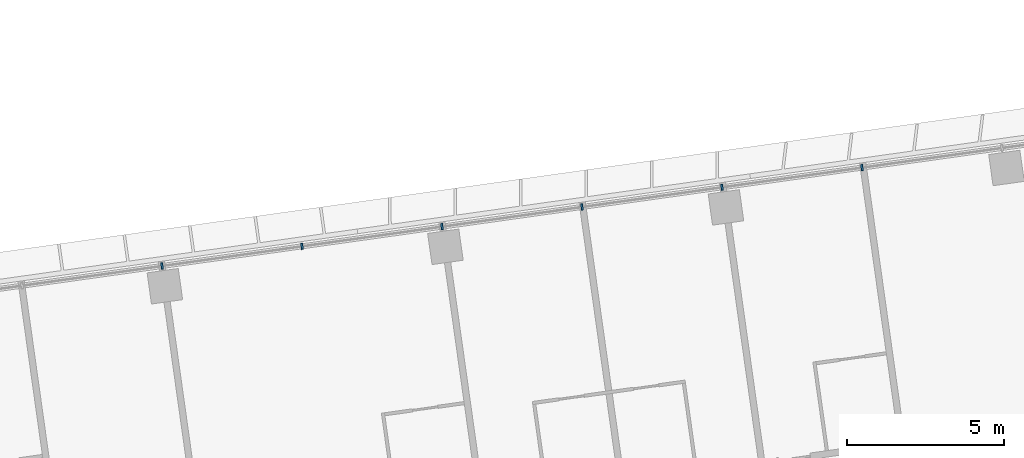
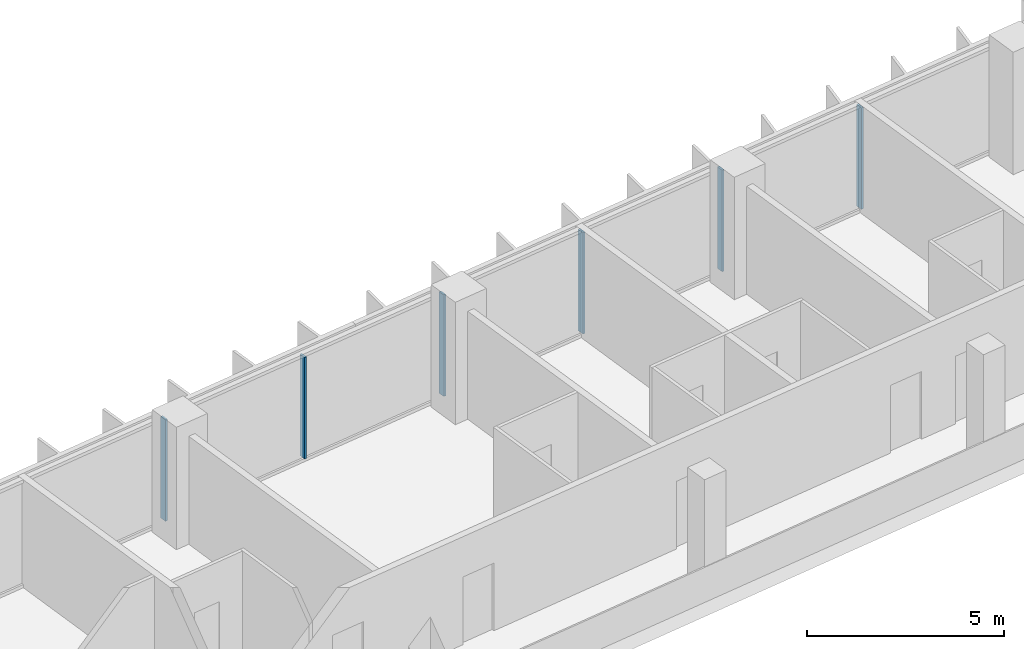
# One storey, part 10 of 24: 6 members, 1 element without a shape of its own.
"""IFC4 building model written with IfcOpenShell, lengths in metres."""

from ifc_helpers import new_model, si_unit, direction, frame, origin, origin_2d, place, context, subcontext, project, spatial, rectangle, extrude, material, material_profile, profile_set, type_object, element, aggregate, save


model = new_model("IFC4")

# Units and contexts
model_context = context("Model", 3, precision=1e-05, world=origin(), true_north=direction((0.0, 1.0)))
body_context = subcontext(model_context, "Body", "Model", "MODEL_VIEW")
ifc_project = project(units=[si_unit("LENGTHUNIT", "METRE"), si_unit("AREAUNIT", "SQUARE_METRE"), si_unit("VOLUMEUNIT", "CUBIC_METRE"), si_unit("PLANEANGLEUNIT", "RADIAN"), si_unit("MASSUNIT", "GRAM", prefix="KILO")], contexts=[model_context])

# Site, building, storey
site_placement = place(None, origin())
site = spatial("IfcSite", under=ifc_project, at=site_placement, CompositionType="ELEMENT")
building_placement = place(site_placement, origin())
building = spatial("IfcBuilding", under=site, at=building_placement, Name="Mirante Cascada Hotel Towers", CompositionType="ELEMENT")
storey_placement = place(building_placement, frame((0.0, 0.0, 43.3)))
storey = spatial("IfcBuildingStorey", under=building, at=storey_placement, Name="L07", CompositionType="ELEMENT", Elevation=43.3)

# Curtain wall, members
ifc_material_1 = material(Name="Aluminium mullion and transom frame with clear laminated glass", Category="aluminium")
curtain_wall_type = type_object("IfcCurtainWallType", Name="Ribbon curtain wall ECW1", PredefinedType="NOTDEFINED", material=ifc_material_1)
curtain_wall_placement = place(storey_placement, origin())
curtain_wall = element("IfcCurtainWall", 1, at=curtain_wall_placement, inside=storey, type_object=curtain_wall_type, Name="Front ribbon wall T2 L07", PredefinedType="NOTDEFINED")
ifc_material_2 = material(Name="Anodised aluminium extrusion", Category="aluminium")
ifc_material_profile = material_profile(ifc_material_2, rectangle(XDim=0.2, YDim=0.065, at=origin_2d()), Name="ECW1 MULLION 65x200")
ifc_profile_set = profile_set([ifc_material_profile], Name="Anodised aluminium extrusion")
member_type = type_object("IfcMemberType", Name="ECW1 mullion 65x200", PredefinedType="MULLION", material=ifc_profile_set)
member_1_placement = place(storey_placement, frame((85.2633, 24.802, 0.1), z_axis=(0.0, 0.0, 1.0), x_axis=(0.1391731, -0.9902681, 0.0)))
member_1 = element("IfcMember", 2, at=member_1_placement, type_object=member_type, Name="ECW1 mullion 3", PredefinedType="MULLION", context=body_context, shape_type="SweptSolid", body=[
    extrude(rectangle(XDim=0.2, YDim=0.065, at=origin_2d()), origin(), (0.0, 0.0, 1.0), 3.15),
])
member_2_placement = place(storey_placement, frame((80.8159, 24.177, 0.1), z_axis=(0.0, 0.0, 1.0), x_axis=(0.1391731, -0.9902681, 0.0)))
member_2 = element("IfcMember", 3, at=member_2_placement, type_object=member_type, Name="ECW1 mullion 4", PredefinedType="MULLION", context=body_context, shape_type="SweptSolid", body=[
    extrude(rectangle(XDim=0.2, YDim=0.065, at=origin_2d()), origin(), (0.0, 0.0, 1.0), 3.15),
])
member_3_placement = place(storey_placement, frame((76.3685, 23.5519, 0.1), z_axis=(0.0, 0.0, 1.0), x_axis=(0.1391731, -0.9902681, 0.0)))
member_3 = element("IfcMember", 4, at=member_3_placement, type_object=member_type, Name="ECW1 mullion 5", PredefinedType="MULLION", context=body_context, shape_type="SweptSolid", body=[
    extrude(rectangle(XDim=0.2, YDim=0.065, at=origin_2d()), origin(), (0.0, 0.0, 1.0), 3.15),
])
member_4_placement = place(storey_placement, frame((71.9211, 22.9269, 0.1), z_axis=(0.0, 0.0, 1.0), x_axis=(0.1391731, -0.9902681, 0.0)))
member_4 = element("IfcMember", 5, at=member_4_placement, type_object=member_type, Name="ECW1 mullion 6", PredefinedType="MULLION", context=body_context, shape_type="SweptSolid", body=[
    extrude(rectangle(XDim=0.2, YDim=0.065, at=origin_2d()), origin(), (0.0, 0.0, 1.0), 3.15),
])
member_5_placement = place(storey_placement, frame((67.4737, 22.3018, 0.1), z_axis=(0.0, 0.0, 1.0), x_axis=(0.1391731, -0.9902681, 0.0)))
member_5 = element("IfcMember", 6, at=member_5_placement, type_object=member_type, Name="ECW1 mullion 7", PredefinedType="MULLION", context=body_context, shape_type="SweptSolid", body=[
    extrude(rectangle(XDim=0.2, YDim=0.065, at=origin_2d()), origin(), (0.0, 0.0, 1.0), 3.15),
])
member_6_placement = place(storey_placement, frame((63.0262, 21.6768, 0.1), z_axis=(0.0, 0.0, 1.0), x_axis=(0.1391731, -0.9902681, 0.0)))
member_6 = element("IfcMember", 7, at=member_6_placement, type_object=member_type, Name="ECW1 mullion 8", PredefinedType="MULLION", context=body_context, shape_type="SweptSolid", body=[
    extrude(rectangle(XDim=0.2, YDim=0.065, at=origin_2d()), origin(), (0.0, 0.0, 1.0), 3.15),
])
aggregate(curtain_wall, [member_1, member_2, member_3, member_4, member_5, member_6])

save(model, "model.ifc")
